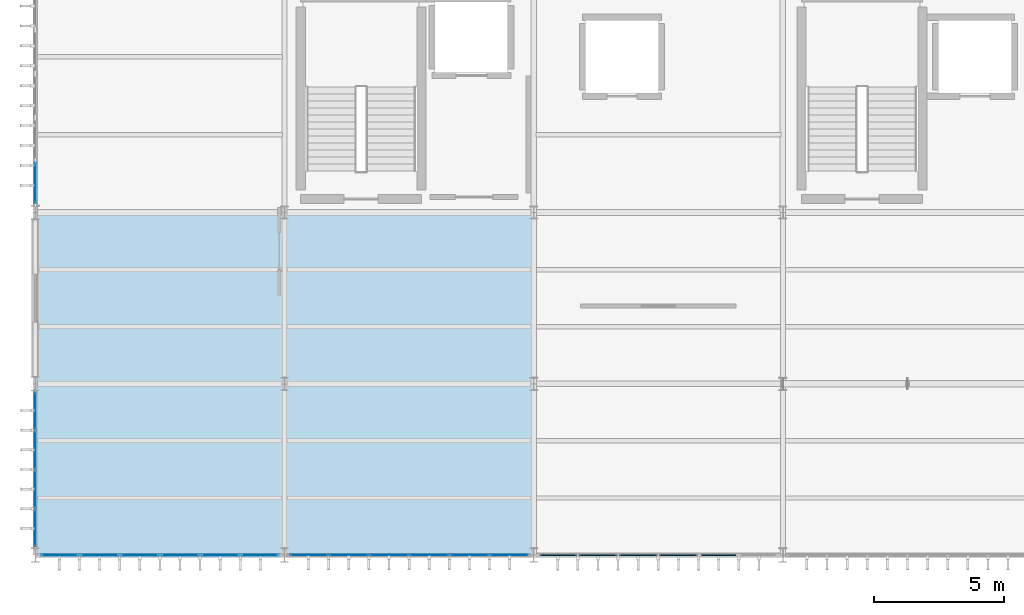
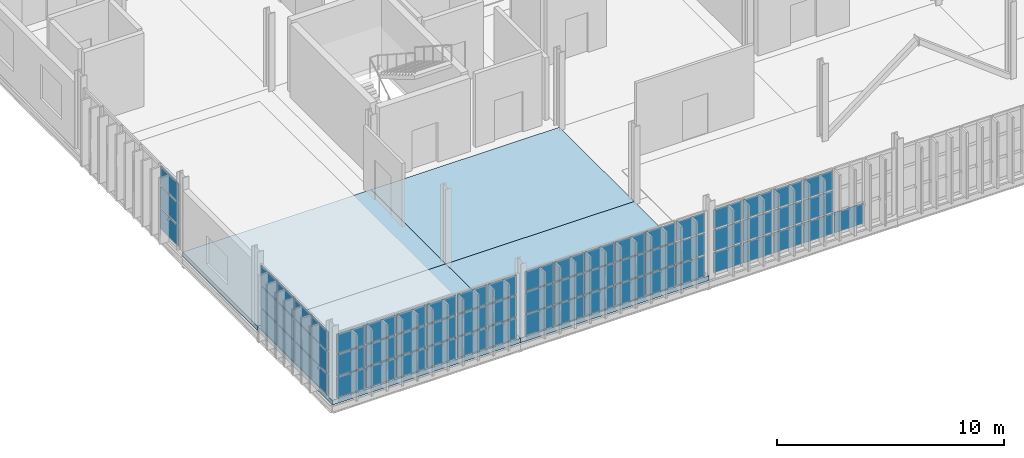
# One storey, part 17 of 52: 64 plates, 4 slabs, 5 elements without a shape of their own.
"""IFC4 building model written with IfcOpenShell, lengths in metres."""

from ifc_helpers import new_model, si_unit, direction, frame, origin, origin_2d, place, context, subcontext, project, spatial, polyline, rectangle, outline, extrude, material, layer, layer_set, type_object, element, aggregate, save


model = new_model("IFC4")

# Units and contexts
model_context = context("Model", 3, precision=1e-05, world=origin(), true_north=direction((0.0, 1.0)))
body_context = subcontext(model_context, "Body", "Model", "MODEL_VIEW")
ifc_project = project(units=[si_unit("LENGTHUNIT", "METRE"), si_unit("AREAUNIT", "SQUARE_METRE"), si_unit("VOLUMEUNIT", "CUBIC_METRE"), si_unit("PLANEANGLEUNIT", "RADIAN"), si_unit("MASSUNIT", "GRAM", prefix="KILO")], contexts=[model_context])

# Site, building, storey
site_placement = place(None, origin())
site = spatial("IfcSite", under=ifc_project, at=site_placement, CompositionType="ELEMENT")
building_placement = place(site_placement, origin())
building = spatial("IfcBuilding", under=site, at=building_placement, Name="Zarnetskaya Central Station", CompositionType="ELEMENT")
storey_placement = place(building_placement, frame((0.0, 0.0, 14.39990234375)))
storey = spatial("IfcBuildingStorey", under=building, at=storey_placement, Name="L03", CompositionType="ELEMENT", Elevation=14.39990234375)

# Curtain wall, plates
ifc_material_1 = material(Name="Low-E insulated glass", Category="glass")
ifc_layer_1 = layer(ifc_material_1, 0.16796875, Name="Low-E insulated glass", Category="glass")
ifc_layer_set_1 = layer_set([ifc_layer_1], Name="Low-E insulated glass")
curtain_wall_type_1 = type_object("IfcCurtainWallType", Name="CW-SYS-08", PredefinedType="USERDEFINED", material=ifc_layer_set_1)
curtain_wall_1_placement = place(storey_placement, origin())
curtain_wall_1 = element("IfcCurtainWall", 1, at=curtain_wall_1_placement, inside=storey, type_object=curtain_wall_type_1, Name="Curtain wall CW-L03-045", ObjectType="CURTAIN WALL", PredefinedType="USERDEFINED")
ifc_layer_2 = layer(ifc_material_1, 0.028076171875, Name="Low-E insulated glass", Category="glass")
ifc_layer_set_2 = layer_set([ifc_layer_2], Name="Low-E insulated glass")
plate_type_1 = type_object("IfcPlateType", Name="CW-PAN-28", PredefinedType="CURTAIN_PANEL", material=ifc_layer_set_2)
plate_1_placement = place(storey_placement, frame((18.257568359375, 0.0, 0.070068359375), z_axis=(0.0, 0.0, 1.0), x_axis=(-1.0, 0.0, 0.0)))
plate_1 = element("IfcPlate", 2, at=plate_1_placement, type_object=plate_type_1, Name="CW-16 panel 1.1", PredefinedType="CURTAIN_PANEL", context=body_context, shape_type="SweptSolid", body=[
    extrude(rectangle(XDim=1.445068359375, YDim=0.028076171875, at=origin_2d()), origin(), (0.0, 0.0, 1.0), 1.10498046875),
])
plate_2_placement = place(storey_placement, frame((18.257568359375, 0.0, 1.2451171875), z_axis=(0.0, 0.0, 1.0), x_axis=(-1.0, 0.0, 0.0)))
plate_2 = element("IfcPlate", 3, at=plate_2_placement, type_object=plate_type_1, Name="CW-16 panel 1.2", PredefinedType="CURTAIN_PANEL", context=body_context, shape_type="SweptSolid", body=[
    extrude(rectangle(XDim=1.445068359375, YDim=0.028076171875, at=origin_2d()), origin(), (0.0, 0.0, 1.0), 1.14111328125),
])
plate_3_placement = place(storey_placement, frame((18.257568359375, 0.0, 2.4560546875), z_axis=(0.0, 0.0, 1.0), x_axis=(-1.0, 0.0, 0.0)))
plate_3 = element("IfcPlate", 4, at=plate_3_placement, type_object=plate_type_1, Name="CW-16 panel 1.3", PredefinedType="CURTAIN_PANEL", context=body_context, shape_type="SweptSolid", body=[
    extrude(rectangle(XDim=1.445068359375, YDim=0.028076171875, at=origin_2d()), origin(), (0.0, 0.0, 1.0), 1.033935546875),
])
plate_4_placement = place(storey_placement, frame((16.72509765625, 0.0, 0.070068359375), z_axis=(0.0, 0.0, 1.0), x_axis=(-1.0, 0.0, 0.0)))
plate_4 = element("IfcPlate", 5, at=plate_4_placement, type_object=plate_type_1, Name="CW-16 panel 2.1", PredefinedType="CURTAIN_PANEL", context=body_context, shape_type="SweptSolid", body=[
    extrude(rectangle(XDim=1.47998046875, YDim=0.028076171875, at=origin_2d()), origin(), (0.0, 0.0, 1.0), 1.10498046875),
])
plate_5_placement = place(storey_placement, frame((16.72509765625, 0.0, 1.2451171875), z_axis=(0.0, 0.0, 1.0), x_axis=(-1.0, 0.0, 0.0)))
plate_5 = element("IfcPlate", 6, at=plate_5_placement, type_object=plate_type_1, Name="CW-16 panel 2.2", PredefinedType="CURTAIN_PANEL", context=body_context, shape_type="SweptSolid", body=[
    extrude(rectangle(XDim=1.47998046875, YDim=0.028076171875, at=origin_2d()), origin(), (0.0, 0.0, 1.0), 1.14111328125),
])
plate_6_placement = place(storey_placement, frame((16.72509765625, 0.0, 2.4560546875), z_axis=(0.0, 0.0, 1.0), x_axis=(-1.0, 0.0, 0.0)))
plate_6 = element("IfcPlate", 7, at=plate_6_placement, type_object=plate_type_1, Name="CW-16 panel 2.3", PredefinedType="CURTAIN_PANEL", context=body_context, shape_type="SweptSolid", body=[
    extrude(rectangle(XDim=1.47998046875, YDim=0.028076171875, at=origin_2d()), origin(), (0.0, 0.0, 1.0), 1.033935546875),
])
plate_7_placement = place(storey_placement, frame((15.175048828125, 0.0, 0.070068359375), z_axis=(0.0, 0.0, 1.0), x_axis=(-1.0, 0.0, 0.0)))
plate_7 = element("IfcPlate", 8, at=plate_7_placement, type_object=plate_type_1, Name="CW-16 panel 3.1", PredefinedType="CURTAIN_PANEL", context=body_context, shape_type="SweptSolid", body=[
    extrude(rectangle(XDim=1.47998046875, YDim=0.028076171875, at=origin_2d()), origin(), (0.0, 0.0, 1.0), 1.10498046875),
])
plate_8_placement = place(storey_placement, frame((15.175048828125, 0.0, 1.2451171875), z_axis=(0.0, 0.0, 1.0), x_axis=(-1.0, 0.0, 0.0)))
plate_8 = element("IfcPlate", 9, at=plate_8_placement, type_object=plate_type_1, Name="CW-16 panel 3.2", PredefinedType="CURTAIN_PANEL", context=body_context, shape_type="SweptSolid", body=[
    extrude(rectangle(XDim=1.47998046875, YDim=0.028076171875, at=origin_2d()), origin(), (0.0, 0.0, 1.0), 1.14111328125),
])
plate_9_placement = place(storey_placement, frame((15.175048828125, 0.0, 2.4560546875), z_axis=(0.0, 0.0, 1.0), x_axis=(-1.0, 0.0, 0.0)))
plate_9 = element("IfcPlate", 10, at=plate_9_placement, type_object=plate_type_1, Name="CW-16 panel 3.3", PredefinedType="CURTAIN_PANEL", context=body_context, shape_type="SweptSolid", body=[
    extrude(rectangle(XDim=1.47998046875, YDim=0.028076171875, at=origin_2d()), origin(), (0.0, 0.0, 1.0), 1.033935546875),
])
plate_10_placement = place(storey_placement, frame((13.625, 0.0, 0.070068359375), z_axis=(0.0, 0.0, 1.0), x_axis=(-1.0, 0.0, 0.0)))
plate_10 = element("IfcPlate", 11, at=plate_10_placement, type_object=plate_type_1, Name="CW-16 panel 4.1", PredefinedType="CURTAIN_PANEL", context=body_context, shape_type="SweptSolid", body=[
    extrude(rectangle(XDim=1.47998046875, YDim=0.028076171875, at=origin_2d()), origin(), (0.0, 0.0, 1.0), 1.10498046875),
])
plate_11_placement = place(storey_placement, frame((13.625, 0.0, 1.2451171875), z_axis=(0.0, 0.0, 1.0), x_axis=(-1.0, 0.0, 0.0)))
plate_11 = element("IfcPlate", 12, at=plate_11_placement, type_object=plate_type_1, Name="CW-16 panel 4.2", PredefinedType="CURTAIN_PANEL", context=body_context, shape_type="SweptSolid", body=[
    extrude(rectangle(XDim=1.47998046875, YDim=0.028076171875, at=origin_2d()), origin(), (0.0, 0.0, 1.0), 1.14111328125),
])
plate_12_placement = place(storey_placement, frame((13.625, 0.0, 2.4560546875), z_axis=(0.0, 0.0, 1.0), x_axis=(-1.0, 0.0, 0.0)))
plate_12 = element("IfcPlate", 13, at=plate_12_placement, type_object=plate_type_1, Name="CW-16 panel 4.3", PredefinedType="CURTAIN_PANEL", context=body_context, shape_type="SweptSolid", body=[
    extrude(rectangle(XDim=1.47998046875, YDim=0.028076171875, at=origin_2d()), origin(), (0.0, 0.0, 1.0), 1.033935546875),
])
plate_13_placement = place(storey_placement, frame((12.074951171875, 0.0, 0.070068359375), z_axis=(0.0, 0.0, 1.0), x_axis=(-1.0, 0.0, 0.0)))
plate_13 = element("IfcPlate", 14, at=plate_13_placement, type_object=plate_type_1, Name="CW-16 panel 5.1", PredefinedType="CURTAIN_PANEL", context=body_context, shape_type="SweptSolid", body=[
    extrude(rectangle(XDim=1.47998046875, YDim=0.028076171875, at=origin_2d()), origin(), (0.0, 0.0, 1.0), 1.10498046875),
])
plate_14_placement = place(storey_placement, frame((12.074951171875, 0.0, 1.2451171875), z_axis=(0.0, 0.0, 1.0), x_axis=(-1.0, 0.0, 0.0)))
plate_14 = element("IfcPlate", 15, at=plate_14_placement, type_object=plate_type_1, Name="CW-16 panel 5.2", PredefinedType="CURTAIN_PANEL", context=body_context, shape_type="SweptSolid", body=[
    extrude(rectangle(XDim=1.47998046875, YDim=0.028076171875, at=origin_2d()), origin(), (0.0, 0.0, 1.0), 1.14111328125),
])
plate_15_placement = place(storey_placement, frame((12.074951171875, 0.0, 2.4560546875), z_axis=(0.0, 0.0, 1.0), x_axis=(-1.0, 0.0, 0.0)))
plate_15 = element("IfcPlate", 16, at=plate_15_placement, type_object=plate_type_1, Name="CW-16 panel 5.3", PredefinedType="CURTAIN_PANEL", context=body_context, shape_type="SweptSolid", body=[
    extrude(rectangle(XDim=1.47998046875, YDim=0.028076171875, at=origin_2d()), origin(), (0.0, 0.0, 1.0), 1.033935546875),
])
plate_16_placement = place(storey_placement, frame((10.54248046875, 0.0, 0.070068359375), z_axis=(0.0, 0.0, 1.0), x_axis=(-1.0, 0.0, 0.0)))
plate_16 = element("IfcPlate", 17, at=plate_16_placement, type_object=plate_type_1, Name="CW-16 panel 6.1", PredefinedType="CURTAIN_PANEL", context=body_context, shape_type="SweptSolid", body=[
    extrude(rectangle(XDim=1.445068359375, YDim=0.028076171875, at=origin_2d()), origin(), (0.0, 0.0, 1.0), 1.10498046875),
])
plate_17_placement = place(storey_placement, frame((10.54248046875, 0.0, 1.2451171875), z_axis=(0.0, 0.0, 1.0), x_axis=(-1.0, 0.0, 0.0)))
plate_17 = element("IfcPlate", 18, at=plate_17_placement, type_object=plate_type_1, Name="CW-16 panel 6.2", PredefinedType="CURTAIN_PANEL", context=body_context, shape_type="SweptSolid", body=[
    extrude(rectangle(XDim=1.445068359375, YDim=0.028076171875, at=origin_2d()), origin(), (0.0, 0.0, 1.0), 1.14111328125),
])
plate_18_placement = place(storey_placement, frame((10.54248046875, 0.0, 2.4560546875), z_axis=(0.0, 0.0, 1.0), x_axis=(-1.0, 0.0, 0.0)))
plate_18 = element("IfcPlate", 19, at=plate_18_placement, type_object=plate_type_1, Name="CW-16 panel 6.3", PredefinedType="CURTAIN_PANEL", context=body_context, shape_type="SweptSolid", body=[
    extrude(rectangle(XDim=1.445068359375, YDim=0.028076171875, at=origin_2d()), origin(), (0.0, 0.0, 1.0), 1.033935546875),
])
aggregate(curtain_wall_1, [plate_1, plate_2, plate_3, plate_4, plate_5, plate_6, plate_7, plate_8, plate_9, plate_10, plate_11, plate_12, plate_13, plate_14, plate_15, plate_16, plate_17, plate_18])

ifc_layer_3 = layer(ifc_material_1, 0.176025390625, Name="Low-E insulated glass", Category="glass")
ifc_layer_set_3 = layer_set([ifc_layer_3], Name="Low-E insulated glass")
curtain_wall_type_2 = type_object("IfcCurtainWallType", Name="CW-SYS-05", PredefinedType="USERDEFINED", material=ifc_layer_set_3)
curtain_wall_2_placement = place(storey_placement, origin())
curtain_wall_2 = element("IfcCurtainWall", 20, at=curtain_wall_2_placement, inside=storey, type_object=curtain_wall_type_2, Name="Curtain wall CW-L03-031", ObjectType="CURTAIN WALL", PredefinedType="USERDEFINED")
ifc_layer_4 = layer(ifc_material_1, 0.031982421875, Name="Low-E insulated glass", Category="glass")
ifc_layer_set_4 = layer_set([ifc_layer_4], Name="Low-E insulated glass")
plate_type_2 = type_object("IfcPlateType", Name="CW-PAN-32", PredefinedType="CURTAIN_PANEL", material=ifc_layer_set_4)
plate_19_placement = place(storey_placement, frame((0.0, 1.048828125, 0.070068359375), z_axis=(0.0, 0.0, 1.0), x_axis=(0.0, 1.0, 0.0)))
plate_19 = element("IfcPlate", 21, at=plate_19_placement, type_object=plate_type_2, Name="CW-14 panel 1.1", PredefinedType="CURTAIN_PANEL", context=body_context, shape_type="SweptSolid", body=[
    extrude(rectangle(XDim=1.407470703125, YDim=0.031982421875, at=origin_2d()), origin(), (0.0, 0.0, 1.0), 1.10498046875),
])
plate_20_placement = place(storey_placement, frame((0.0, 1.048828125, 1.2451171875), z_axis=(0.0, 0.0, 1.0), x_axis=(0.0, 1.0, 0.0)))
plate_20 = element("IfcPlate", 22, at=plate_20_placement, type_object=plate_type_2, Name="CW-14 panel 1.2", PredefinedType="CURTAIN_PANEL", context=body_context, shape_type="SweptSolid", body=[
    extrude(rectangle(XDim=1.407470703125, YDim=0.031982421875, at=origin_2d()), origin(), (0.0, 0.0, 1.0), 1.14111328125),
])
plate_21_placement = place(storey_placement, frame((0.0, 1.048828125, 2.4560546875), z_axis=(0.0, 0.0, 1.0), x_axis=(0.0, 1.0, 0.0)))
plate_21 = element("IfcPlate", 23, at=plate_21_placement, type_object=plate_type_2, Name="CW-14 panel 1.3", PredefinedType="CURTAIN_PANEL", context=body_context, shape_type="SweptSolid", body=[
    extrude(rectangle(XDim=1.407470703125, YDim=0.031982421875, at=origin_2d()), origin(), (0.0, 0.0, 1.0), 1.033935546875),
])
plate_22_placement = place(storey_placement, frame((0.0, 2.543701171875, 0.070068359375), z_axis=(0.0, 0.0, 1.0), x_axis=(0.0, 1.0, 0.0)))
plate_22 = element("IfcPlate", 24, at=plate_22_placement, type_object=plate_type_2, Name="CW-14 panel 2.1", PredefinedType="CURTAIN_PANEL", context=body_context, shape_type="SweptSolid", body=[
    extrude(rectangle(XDim=1.4423828125, YDim=0.031982421875, at=origin_2d()), origin(), (0.0, 0.0, 1.0), 1.10498046875),
])
plate_23_placement = place(storey_placement, frame((0.0, 2.543701171875, 1.2451171875), z_axis=(0.0, 0.0, 1.0), x_axis=(0.0, 1.0, 0.0)))
plate_23 = element("IfcPlate", 25, at=plate_23_placement, type_object=plate_type_2, Name="CW-14 panel 2.2", PredefinedType="CURTAIN_PANEL", context=body_context, shape_type="SweptSolid", body=[
    extrude(rectangle(XDim=1.4423828125, YDim=0.031982421875, at=origin_2d()), origin(), (0.0, 0.0, 1.0), 1.14111328125),
])
plate_24_placement = place(storey_placement, frame((0.0, 2.543701171875, 2.4560546875), z_axis=(0.0, 0.0, 1.0), x_axis=(0.0, 1.0, 0.0)))
plate_24 = element("IfcPlate", 26, at=plate_24_placement, type_object=plate_type_2, Name="CW-14 panel 2.3", PredefinedType="CURTAIN_PANEL", context=body_context, shape_type="SweptSolid", body=[
    extrude(rectangle(XDim=1.4423828125, YDim=0.031982421875, at=origin_2d()), origin(), (0.0, 0.0, 1.0), 1.033935546875),
])
plate_25_placement = place(storey_placement, frame((0.0, 4.05615234375, 0.070068359375), z_axis=(0.0, 0.0, 1.0), x_axis=(0.0, 1.0, 0.0)))
plate_25 = element("IfcPlate", 27, at=plate_25_placement, type_object=plate_type_2, Name="CW-14 panel 3.1", PredefinedType="CURTAIN_PANEL", context=body_context, shape_type="SweptSolid", body=[
    extrude(rectangle(XDim=1.4423828125, YDim=0.031982421875, at=origin_2d()), origin(), (0.0, 0.0, 1.0), 1.10498046875),
])
plate_26_placement = place(storey_placement, frame((0.0, 4.05615234375, 1.2451171875), z_axis=(0.0, 0.0, 1.0), x_axis=(0.0, 1.0, 0.0)))
plate_26 = element("IfcPlate", 28, at=plate_26_placement, type_object=plate_type_2, Name="CW-14 panel 3.2", PredefinedType="CURTAIN_PANEL", context=body_context, shape_type="SweptSolid", body=[
    extrude(rectangle(XDim=1.4423828125, YDim=0.031982421875, at=origin_2d()), origin(), (0.0, 0.0, 1.0), 1.14111328125),
])
plate_27_placement = place(storey_placement, frame((0.0, 4.05615234375, 2.4560546875), z_axis=(0.0, 0.0, 1.0), x_axis=(0.0, 1.0, 0.0)))
plate_27 = element("IfcPlate", 29, at=plate_27_placement, type_object=plate_type_2, Name="CW-14 panel 3.3", PredefinedType="CURTAIN_PANEL", context=body_context, shape_type="SweptSolid", body=[
    extrude(rectangle(XDim=1.4423828125, YDim=0.031982421875, at=origin_2d()), origin(), (0.0, 0.0, 1.0), 1.033935546875),
])
plate_28_placement = place(storey_placement, frame((0.0, 5.55126953125, 0.070068359375), z_axis=(0.0, 0.0, 1.0), x_axis=(0.0, 1.0, 0.0)))
plate_28 = element("IfcPlate", 30, at=plate_28_placement, type_object=plate_type_2, Name="CW-14 panel 4.1", PredefinedType="CURTAIN_PANEL", context=body_context, shape_type="SweptSolid", body=[
    extrude(rectangle(XDim=1.407470703125, YDim=0.031982421875, at=origin_2d()), origin(), (0.0, 0.0, 1.0), 1.10498046875),
])
plate_29_placement = place(storey_placement, frame((0.0, 5.55126953125, 1.2451171875), z_axis=(0.0, 0.0, 1.0), x_axis=(0.0, 1.0, 0.0)))
plate_29 = element("IfcPlate", 31, at=plate_29_placement, type_object=plate_type_2, Name="CW-14 panel 4.2", PredefinedType="CURTAIN_PANEL", context=body_context, shape_type="SweptSolid", body=[
    extrude(rectangle(XDim=1.407470703125, YDim=0.031982421875, at=origin_2d()), origin(), (0.0, 0.0, 1.0), 1.14111328125),
])
plate_30_placement = place(storey_placement, frame((0.0, 5.55126953125, 2.4560546875), z_axis=(0.0, 0.0, 1.0), x_axis=(0.0, 1.0, 0.0)))
plate_30 = element("IfcPlate", 32, at=plate_30_placement, type_object=plate_type_2, Name="CW-14 panel 4.3", PredefinedType="CURTAIN_PANEL", context=body_context, shape_type="SweptSolid", body=[
    extrude(rectangle(XDim=1.407470703125, YDim=0.031982421875, at=origin_2d()), origin(), (0.0, 0.0, 1.0), 1.033935546875),
])
aggregate(curtain_wall_2, [plate_19, plate_20, plate_21, plate_22, plate_23, plate_24, plate_25, plate_26, plate_27, plate_28, plate_29, plate_30])

ifc_layer_5 = layer(ifc_material_1, 0.172119140625, Name="Low-E insulated glass", Category="glass")
ifc_layer_set_5 = layer_set([ifc_layer_5], Name="Low-E insulated glass")
curtain_wall_type_3 = type_object("IfcCurtainWallType", Name="CW-SYS-09", PredefinedType="USERDEFINED", material=ifc_layer_set_5)
curtain_wall_3_placement = place(storey_placement, origin())
curtain_wall_3 = element("IfcCurtainWall", 33, at=curtain_wall_3_placement, inside=storey, type_object=curtain_wall_type_3, Name="Curtain wall CW-L03-046", ObjectType="CURTAIN WALL", PredefinedType="USERDEFINED")
plate_31_placement = place(storey_placement, frame((8.655029296875, 0.0, 0.080078125), z_axis=(0.0, 0.0, 1.0), x_axis=(-1.0, 0.0, 0.0)))
plate_31 = element("IfcPlate", 34, at=plate_31_placement, type_object=plate_type_2, Name="CW-07 panel 1.1", PredefinedType="CURTAIN_PANEL", context=body_context, shape_type="SweptSolid", body=[
    extrude(rectangle(XDim=1.429931640625, YDim=0.031982421875, at=origin_2d()), origin(), (0.0, 0.0, 1.0), 1.090087890625),
])
plate_32_placement = place(storey_placement, frame((8.655029296875, 0.0, 1.25), z_axis=(0.0, 0.0, 1.0), x_axis=(-1.0, 0.0, 0.0)))
plate_32 = element("IfcPlate", 35, at=plate_32_placement, type_object=plate_type_2, Name="CW-07 panel 1.2", PredefinedType="CURTAIN_PANEL", context=body_context, shape_type="SweptSolid", body=[
    extrude(rectangle(XDim=1.429931640625, YDim=0.031982421875, at=origin_2d()), origin(), (0.0, 0.0, 1.0), 1.131103515625),
])
plate_33_placement = place(storey_placement, frame((8.655029296875, 0.0, 2.461181640625), z_axis=(0.0, 0.0, 1.0), x_axis=(-1.0, 0.0, 0.0)))
plate_33 = element("IfcPlate", 36, at=plate_33_placement, type_object=plate_type_2, Name="CW-07 panel 1.3", PredefinedType="CURTAIN_PANEL", context=body_context, shape_type="SweptSolid", body=[
    extrude(rectangle(XDim=1.429931640625, YDim=0.031982421875, at=origin_2d()), origin(), (0.0, 0.0, 1.0), 1.01904296875),
])
plate_34_placement = place(storey_placement, frame((7.125, 0.0, 0.080078125), z_axis=(0.0, 0.0, 1.0), x_axis=(-1.0, 0.0, 0.0)))
plate_34 = element("IfcPlate", 37, at=plate_34_placement, type_object=plate_type_2, Name="CW-07 panel 2.1", PredefinedType="CURTAIN_PANEL", context=body_context, shape_type="SweptSolid", body=[
    extrude(rectangle(XDim=1.469970703125, YDim=0.031982421875, at=origin_2d()), origin(), (0.0, 0.0, 1.0), 1.090087890625),
])
plate_35_placement = place(storey_placement, frame((7.125, 0.0, 1.25), z_axis=(0.0, 0.0, 1.0), x_axis=(-1.0, 0.0, 0.0)))
plate_35 = element("IfcPlate", 38, at=plate_35_placement, type_object=plate_type_2, Name="CW-07 panel 2.2", PredefinedType="CURTAIN_PANEL", context=body_context, shape_type="SweptSolid", body=[
    extrude(rectangle(XDim=1.469970703125, YDim=0.031982421875, at=origin_2d()), origin(), (0.0, 0.0, 1.0), 1.131103515625),
])
plate_36_placement = place(storey_placement, frame((7.125, 0.0, 2.461181640625), z_axis=(0.0, 0.0, 1.0), x_axis=(-1.0, 0.0, 0.0)))
plate_36 = element("IfcPlate", 39, at=plate_36_placement, type_object=plate_type_2, Name="CW-07 panel 2.3", PredefinedType="CURTAIN_PANEL", context=body_context, shape_type="SweptSolid", body=[
    extrude(rectangle(XDim=1.469970703125, YDim=0.031982421875, at=origin_2d()), origin(), (0.0, 0.0, 1.0), 1.01904296875),
])
plate_37_placement = place(storey_placement, frame((5.574951171875, 0.0, 0.080078125), z_axis=(0.0, 0.0, 1.0), x_axis=(-1.0, 0.0, 0.0)))
plate_37 = element("IfcPlate", 40, at=plate_37_placement, type_object=plate_type_2, Name="CW-07 panel 3.1", PredefinedType="CURTAIN_PANEL", context=body_context, shape_type="SweptSolid", body=[
    extrude(rectangle(XDim=1.469970703125, YDim=0.031982421875, at=origin_2d()), origin(), (0.0, 0.0, 1.0), 1.090087890625),
])
plate_38_placement = place(storey_placement, frame((5.574951171875, 0.0, 1.25), z_axis=(0.0, 0.0, 1.0), x_axis=(-1.0, 0.0, 0.0)))
plate_38 = element("IfcPlate", 41, at=plate_38_placement, type_object=plate_type_2, Name="CW-07 panel 3.2", PredefinedType="CURTAIN_PANEL", context=body_context, shape_type="SweptSolid", body=[
    extrude(rectangle(XDim=1.469970703125, YDim=0.031982421875, at=origin_2d()), origin(), (0.0, 0.0, 1.0), 1.131103515625),
])
plate_39_placement = place(storey_placement, frame((5.574951171875, 0.0, 2.461181640625), z_axis=(0.0, 0.0, 1.0), x_axis=(-1.0, 0.0, 0.0)))
plate_39 = element("IfcPlate", 42, at=plate_39_placement, type_object=plate_type_2, Name="CW-07 panel 3.3", PredefinedType="CURTAIN_PANEL", context=body_context, shape_type="SweptSolid", body=[
    extrude(rectangle(XDim=1.469970703125, YDim=0.031982421875, at=origin_2d()), origin(), (0.0, 0.0, 1.0), 1.01904296875),
])
plate_40_placement = place(storey_placement, frame((4.02490234375, 0.0, 0.080078125), z_axis=(0.0, 0.0, 1.0), x_axis=(-1.0, 0.0, 0.0)))
plate_40 = element("IfcPlate", 43, at=plate_40_placement, type_object=plate_type_2, Name="CW-07 panel 4.1", PredefinedType="CURTAIN_PANEL", context=body_context, shape_type="SweptSolid", body=[
    extrude(rectangle(XDim=1.469970703125, YDim=0.031982421875, at=origin_2d()), origin(), (0.0, 0.0, 1.0), 1.090087890625),
])
plate_41_placement = place(storey_placement, frame((4.02490234375, 0.0, 1.25), z_axis=(0.0, 0.0, 1.0), x_axis=(-1.0, 0.0, 0.0)))
plate_41 = element("IfcPlate", 44, at=plate_41_placement, type_object=plate_type_2, Name="CW-07 panel 4.2", PredefinedType="CURTAIN_PANEL", context=body_context, shape_type="SweptSolid", body=[
    extrude(rectangle(XDim=1.469970703125, YDim=0.031982421875, at=origin_2d()), origin(), (0.0, 0.0, 1.0), 1.131103515625),
])
plate_42_placement = place(storey_placement, frame((4.02490234375, 0.0, 2.461181640625), z_axis=(0.0, 0.0, 1.0), x_axis=(-1.0, 0.0, 0.0)))
plate_42 = element("IfcPlate", 45, at=plate_42_placement, type_object=plate_type_2, Name="CW-07 panel 4.3", PredefinedType="CURTAIN_PANEL", context=body_context, shape_type="SweptSolid", body=[
    extrude(rectangle(XDim=1.469970703125, YDim=0.031982421875, at=origin_2d()), origin(), (0.0, 0.0, 1.0), 1.01904296875),
])
plate_43_placement = place(storey_placement, frame((2.47509765625, 0.0, 0.080078125), z_axis=(0.0, 0.0, 1.0), x_axis=(-1.0, 0.0, 0.0)))
plate_43 = element("IfcPlate", 46, at=plate_43_placement, type_object=plate_type_2, Name="CW-07 panel 5.1", PredefinedType="CURTAIN_PANEL", context=body_context, shape_type="SweptSolid", body=[
    extrude(rectangle(XDim=1.469970703125, YDim=0.031982421875, at=origin_2d()), origin(), (0.0, 0.0, 1.0), 1.090087890625),
])
plate_44_placement = place(storey_placement, frame((2.47509765625, 0.0, 1.25), z_axis=(0.0, 0.0, 1.0), x_axis=(-1.0, 0.0, 0.0)))
plate_44 = element("IfcPlate", 47, at=plate_44_placement, type_object=plate_type_2, Name="CW-07 panel 5.2", PredefinedType="CURTAIN_PANEL", context=body_context, shape_type="SweptSolid", body=[
    extrude(rectangle(XDim=1.469970703125, YDim=0.031982421875, at=origin_2d()), origin(), (0.0, 0.0, 1.0), 1.131103515625),
])
plate_45_placement = place(storey_placement, frame((2.47509765625, 0.0, 2.461181640625), z_axis=(0.0, 0.0, 1.0), x_axis=(-1.0, 0.0, 0.0)))
plate_45 = element("IfcPlate", 48, at=plate_45_placement, type_object=plate_type_2, Name="CW-07 panel 5.3", PredefinedType="CURTAIN_PANEL", context=body_context, shape_type="SweptSolid", body=[
    extrude(rectangle(XDim=1.469970703125, YDim=0.031982421875, at=origin_2d()), origin(), (0.0, 0.0, 1.0), 1.01904296875),
])
plate_46_placement = place(storey_placement, frame((0.945068359375, 0.0, 0.080078125), z_axis=(0.0, 0.0, 1.0), x_axis=(-1.0, 0.0, 0.0)))
plate_46 = element("IfcPlate", 49, at=plate_46_placement, type_object=plate_type_2, Name="CW-07 panel 6.1", PredefinedType="CURTAIN_PANEL", context=body_context, shape_type="SweptSolid", body=[
    extrude(rectangle(XDim=1.429931640625, YDim=0.031982421875, at=origin_2d()), origin(), (0.0, 0.0, 1.0), 1.090087890625),
])
plate_47_placement = place(storey_placement, frame((0.945068359375, 0.0, 1.25), z_axis=(0.0, 0.0, 1.0), x_axis=(-1.0, 0.0, 0.0)))
plate_47 = element("IfcPlate", 50, at=plate_47_placement, type_object=plate_type_2, Name="CW-07 panel 6.2", PredefinedType="CURTAIN_PANEL", context=body_context, shape_type="SweptSolid", body=[
    extrude(rectangle(XDim=1.429931640625, YDim=0.031982421875, at=origin_2d()), origin(), (0.0, 0.0, 1.0), 1.131103515625),
])
plate_48_placement = place(storey_placement, frame((0.945068359375, 0.0, 2.461181640625), z_axis=(0.0, 0.0, 1.0), x_axis=(-1.0, 0.0, 0.0)))
plate_48 = element("IfcPlate", 51, at=plate_48_placement, type_object=plate_type_2, Name="CW-07 panel 6.3", PredefinedType="CURTAIN_PANEL", context=body_context, shape_type="SweptSolid", body=[
    extrude(rectangle(XDim=1.429931640625, YDim=0.031982421875, at=origin_2d()), origin(), (0.0, 0.0, 1.0), 1.01904296875),
])
aggregate(curtain_wall_3, [plate_31, plate_32, plate_33, plate_34, plate_35, plate_36, plate_37, plate_38, plate_39, plate_40, plate_41, plate_42, plate_43, plate_44, plate_45, plate_46, plate_47, plate_48])

ifc_layer_6 = layer(ifc_material_1, 0.1640625, Name="Low-E insulated glass", Category="glass")
ifc_layer_set_6 = layer_set([ifc_layer_6], Name="Low-E insulated glass")
curtain_wall_type_4 = type_object("IfcCurtainWallType", Name="CW-SYS-07", PredefinedType="USERDEFINED", material=ifc_layer_set_6)
curtain_wall_4_placement = place(storey_placement, origin())
curtain_wall_4 = element("IfcCurtainWall", 52, at=curtain_wall_4_placement, inside=storey, type_object=curtain_wall_type_4, Name="Curtain wall CW-L03-032", ObjectType="CURTAIN WALL", PredefinedType="USERDEFINED")
ifc_layer_7 = layer(ifc_material_1, 0.035888671875, Name="Low-E insulated glass", Category="glass")
ifc_layer_set_7 = layer_set([ifc_layer_7], Name="Low-E insulated glass")
plate_type_3 = type_object("IfcPlateType", Name="CW-PAN-36", PredefinedType="CURTAIN_PANEL", material=ifc_layer_set_7)
plate_49_placement = place(storey_placement, frame((0.0, 14.340087890625, 0.080078125), z_axis=(0.0, 0.0, 1.0), x_axis=(0.0, 1.0, 0.0)))
plate_49 = element("IfcPlate", 53, at=plate_49_placement, type_object=plate_type_3, Name="CW-06 panel 1.1", PredefinedType="CURTAIN_PANEL", context=body_context, shape_type="SweptSolid", body=[
    extrude(rectangle(XDim=1.570068359375, YDim=0.035888671875, at=origin_2d()), origin(), (0.0, 0.0, 1.0), 1.090087890625),
])
plate_50_placement = place(storey_placement, frame((0.0, 14.340087890625, 1.25), z_axis=(0.0, 0.0, 1.0), x_axis=(0.0, 1.0, 0.0)))
plate_50 = element("IfcPlate", 54, at=plate_50_placement, type_object=plate_type_3, Name="CW-06 panel 1.2", PredefinedType="CURTAIN_PANEL", context=body_context, shape_type="SweptSolid", body=[
    extrude(rectangle(XDim=1.570068359375, YDim=0.035888671875, at=origin_2d()), origin(), (0.0, 0.0, 1.0), 1.131103515625),
])
plate_51_placement = place(storey_placement, frame((0.0, 14.340087890625, 2.461181640625), z_axis=(0.0, 0.0, 1.0), x_axis=(0.0, 1.0, 0.0)))
plate_51 = element("IfcPlate", 55, at=plate_51_placement, type_object=plate_type_3, Name="CW-06 panel 1.3", PredefinedType="CURTAIN_PANEL", context=body_context, shape_type="SweptSolid", body=[
    extrude(rectangle(XDim=1.570068359375, YDim=0.035888671875, at=origin_2d()), origin(), (0.0, 0.0, 1.0), 1.01904296875),
])
aggregate(curtain_wall_4, [plate_49, plate_50, plate_51])

curtain_wall_5_placement = place(storey_placement, origin())
curtain_wall_5 = element("IfcCurtainWall", 56, at=curtain_wall_5_placement, inside=storey, type_object=curtain_wall_type_4, Name="Curtain wall CW-L03-044", ObjectType="CURTAIN WALL", PredefinedType="USERDEFINED")
ifc_layer_8 = layer(ifc_material_1, 0.0439453125, Name="Low-E insulated glass", Category="glass")
ifc_layer_set_8 = layer_set([ifc_layer_8], Name="Low-E insulated glass")
plate_type_4 = type_object("IfcPlateType", Name="CW-PAN-44", PredefinedType="CURTAIN_PANEL", material=ifc_layer_set_8)
plate_52_placement = place(storey_placement, frame((26.324951171875, 0.0, 0.080078125), z_axis=(0.0, 0.0, 1.0), x_axis=(-1.0, 0.0, 0.0)))
plate_52 = element("IfcPlate", 57, at=plate_52_placement, type_object=plate_type_4, Name="CW-06 panel 2.1", PredefinedType="CURTAIN_PANEL", context=body_context, shape_type="SweptSolid", body=[
    extrude(rectangle(XDim=1.469970703125, YDim=0.0439453125, at=origin_2d()), origin(), (0.0, 0.0, 1.0), 1.090087890625),
])
plate_53_placement = place(storey_placement, frame((24.77490234375, 0.0, 0.080078125), z_axis=(0.0, 0.0, 1.0), x_axis=(-1.0, 0.0, 0.0)))
plate_53 = element("IfcPlate", 58, at=plate_53_placement, type_object=plate_type_4, Name="CW-06 panel 3.1", PredefinedType="CURTAIN_PANEL", context=body_context, shape_type="SweptSolid", body=[
    extrude(rectangle(XDim=1.469970703125, YDim=0.0439453125, at=origin_2d()), origin(), (0.0, 0.0, 1.0), 1.090087890625),
])
plate_54_placement = place(storey_placement, frame((24.77490234375, 0.0, 1.25), z_axis=(0.0, 0.0, 1.0), x_axis=(-1.0, 0.0, 0.0)))
plate_54 = element("IfcPlate", 59, at=plate_54_placement, type_object=plate_type_4, Name="CW-06 panel 3.2", PredefinedType="CURTAIN_PANEL", context=body_context, shape_type="SweptSolid", body=[
    extrude(rectangle(XDim=1.469970703125, YDim=0.0439453125, at=origin_2d()), origin(), (0.0, 0.0, 1.0), 1.131103515625),
])
plate_55_placement = place(storey_placement, frame((24.77490234375, 0.0, 2.461181640625), z_axis=(0.0, 0.0, 1.0), x_axis=(-1.0, 0.0, 0.0)))
plate_55 = element("IfcPlate", 60, at=plate_55_placement, type_object=plate_type_4, Name="CW-06 panel 3.3", PredefinedType="CURTAIN_PANEL", context=body_context, shape_type="SweptSolid", body=[
    extrude(rectangle(XDim=1.469970703125, YDim=0.0439453125, at=origin_2d()), origin(), (0.0, 0.0, 1.0), 1.01904296875),
])
plate_56_placement = place(storey_placement, frame((23.22509765625, 0.0, 0.080078125), z_axis=(0.0, 0.0, 1.0), x_axis=(-1.0, 0.0, 0.0)))
plate_56 = element("IfcPlate", 61, at=plate_56_placement, type_object=plate_type_4, Name="CW-06 panel 4.1", PredefinedType="CURTAIN_PANEL", context=body_context, shape_type="SweptSolid", body=[
    extrude(rectangle(XDim=1.469970703125, YDim=0.0439453125, at=origin_2d()), origin(), (0.0, 0.0, 1.0), 1.090087890625),
])
plate_57_placement = place(storey_placement, frame((23.22509765625, 0.0, 1.25), z_axis=(0.0, 0.0, 1.0), x_axis=(-1.0, 0.0, 0.0)))
plate_57 = element("IfcPlate", 62, at=plate_57_placement, type_object=plate_type_4, Name="CW-06 panel 4.2", PredefinedType="CURTAIN_PANEL", context=body_context, shape_type="SweptSolid", body=[
    extrude(rectangle(XDim=1.469970703125, YDim=0.0439453125, at=origin_2d()), origin(), (0.0, 0.0, 1.0), 1.131103515625),
])
plate_58_placement = place(storey_placement, frame((23.22509765625, 0.0, 2.461181640625), z_axis=(0.0, 0.0, 1.0), x_axis=(-1.0, 0.0, 0.0)))
plate_58 = element("IfcPlate", 63, at=plate_58_placement, type_object=plate_type_4, Name="CW-06 panel 4.3", PredefinedType="CURTAIN_PANEL", context=body_context, shape_type="SweptSolid", body=[
    extrude(rectangle(XDim=1.469970703125, YDim=0.0439453125, at=origin_2d()), origin(), (0.0, 0.0, 1.0), 1.01904296875),
])
plate_59_placement = place(storey_placement, frame((21.675048828125, 0.0, 0.080078125), z_axis=(0.0, 0.0, 1.0), x_axis=(-1.0, 0.0, 0.0)))
plate_59 = element("IfcPlate", 64, at=plate_59_placement, type_object=plate_type_4, Name="CW-06 panel 5.1", PredefinedType="CURTAIN_PANEL", context=body_context, shape_type="SweptSolid", body=[
    extrude(rectangle(XDim=1.469970703125, YDim=0.0439453125, at=origin_2d()), origin(), (0.0, 0.0, 1.0), 1.090087890625),
])
plate_60_placement = place(storey_placement, frame((21.675048828125, 0.0, 1.25), z_axis=(0.0, 0.0, 1.0), x_axis=(-1.0, 0.0, 0.0)))
plate_60 = element("IfcPlate", 65, at=plate_60_placement, type_object=plate_type_4, Name="CW-06 panel 5.2", PredefinedType="CURTAIN_PANEL", context=body_context, shape_type="SweptSolid", body=[
    extrude(rectangle(XDim=1.469970703125, YDim=0.0439453125, at=origin_2d()), origin(), (0.0, 0.0, 1.0), 1.131103515625),
])
plate_61_placement = place(storey_placement, frame((21.675048828125, 0.0, 2.461181640625), z_axis=(0.0, 0.0, 1.0), x_axis=(-1.0, 0.0, 0.0)))
plate_61 = element("IfcPlate", 66, at=plate_61_placement, type_object=plate_type_4, Name="CW-06 panel 5.3", PredefinedType="CURTAIN_PANEL", context=body_context, shape_type="SweptSolid", body=[
    extrude(rectangle(XDim=1.469970703125, YDim=0.0439453125, at=origin_2d()), origin(), (0.0, 0.0, 1.0), 1.01904296875),
])
plate_62_placement = place(storey_placement, frame((20.14501953125, 0.0, 0.080078125), z_axis=(0.0, 0.0, 1.0), x_axis=(-1.0, 0.0, 0.0)))
plate_62 = element("IfcPlate", 67, at=plate_62_placement, type_object=plate_type_4, Name="CW-06 panel 6.1", PredefinedType="CURTAIN_PANEL", context=body_context, shape_type="SweptSolid", body=[
    extrude(rectangle(XDim=1.429931640625, YDim=0.0439453125, at=origin_2d()), origin(), (0.0, 0.0, 1.0), 1.090087890625),
])
plate_63_placement = place(storey_placement, frame((20.14501953125, 0.0, 1.25), z_axis=(0.0, 0.0, 1.0), x_axis=(-1.0, 0.0, 0.0)))
plate_63 = element("IfcPlate", 68, at=plate_63_placement, type_object=plate_type_4, Name="CW-06 panel 6.2", PredefinedType="CURTAIN_PANEL", context=body_context, shape_type="SweptSolid", body=[
    extrude(rectangle(XDim=1.429931640625, YDim=0.0439453125, at=origin_2d()), origin(), (0.0, 0.0, 1.0), 1.131103515625),
])
plate_64_placement = place(storey_placement, frame((20.14501953125, 0.0, 2.461181640625), z_axis=(0.0, 0.0, 1.0), x_axis=(-1.0, 0.0, 0.0)))
plate_64 = element("IfcPlate", 69, at=plate_64_placement, type_object=plate_type_4, Name="CW-06 panel 6.3", PredefinedType="CURTAIN_PANEL", context=body_context, shape_type="SweptSolid", body=[
    extrude(rectangle(XDim=1.429931640625, YDim=0.0439453125, at=origin_2d()), origin(), (0.0, 0.0, 1.0), 1.01904296875),
])
aggregate(curtain_wall_5, [plate_52, plate_53, plate_54, plate_55, plate_56, plate_57, plate_58, plate_59, plate_60, plate_61, plate_62, plate_63, plate_64])

# Slabs
ifc_material_2 = material(Name="Concrete C30/37", Category="concrete")
ifc_layer_9 = layer(ifc_material_2, 0.25, Name="Concrete C30/37", Category="concrete")
ifc_layer_set_9 = layer_set([ifc_layer_9], Name="Concrete C30/37")
slab_type = type_object("IfcSlabType", Name="SLAB-L03-250", PredefinedType="FLOOR", material=ifc_layer_set_9)
slab_1_placement = place(storey_placement, frame((0.0, 0.0, -0.25)))
element("IfcSlab", 70, at=slab_1_placement, inside=storey, type_object=slab_type, Name="L03 slab A-B/1-2", PredefinedType="FLOOR", context=body_context, shape_type="SweptSolid", body=[
    extrude(outline(polyline([(0.0, 0.0), (9.60009765625, 0.0), (9.60009765625, 6.60009765625), (0.0, 6.60009765625), (0.0, 0.0)])), origin(), (0.0, 0.0, 1.0), 0.25),
])
slab_2_placement = place(storey_placement, frame((0.0, 0.0, -0.25)))
element("IfcSlab", 71, at=slab_2_placement, inside=storey, type_object=slab_type, Name="L03 slab A-B/2-3", PredefinedType="FLOOR", context=body_context, shape_type="SweptSolid", body=[
    extrude(outline(polyline([(0.0, 6.60009765625), (9.60009765625, 6.60009765625), (9.60009765625, 13.199951171875), (0.0, 13.199951171875), (0.0, 6.60009765625)])), origin(), (0.0, 0.0, 1.0), 0.25),
])
slab_3_placement = place(storey_placement, frame((0.0, 0.0, -0.25)))
element("IfcSlab", 72, at=slab_3_placement, inside=storey, type_object=slab_type, Name="L03 slab B-C/1-2", PredefinedType="FLOOR", context=body_context, shape_type="SweptSolid", body=[
    extrude(outline(polyline([(9.60009765625, 0.0), (19.199951171875, 0.0), (19.199951171875, 6.60009765625), (9.60009765625, 6.60009765625), (9.60009765625, 0.0)])), origin(), (0.0, 0.0, 1.0), 0.25),
])
slab_4_placement = place(storey_placement, frame((0.0, 0.0, -0.25)))
element("IfcSlab", 73, at=slab_4_placement, inside=storey, type_object=slab_type, Name="L03 slab B-C/2-3", PredefinedType="FLOOR", context=body_context, shape_type="SweptSolid", body=[
    extrude(outline(polyline([(9.60009765625, 6.60009765625), (19.199951171875, 6.60009765625), (19.199951171875, 13.199951171875), (9.60009765625, 13.199951171875), (9.60009765625, 6.60009765625)])), origin(), (0.0, 0.0, 1.0), 0.25),
])

save(model, "model.ifc")
